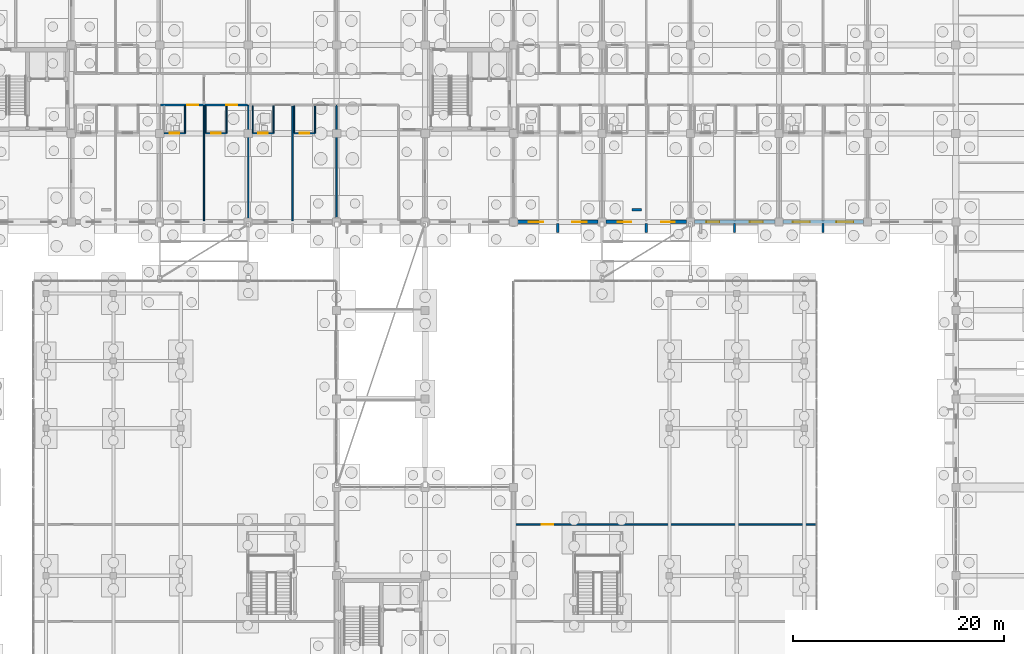
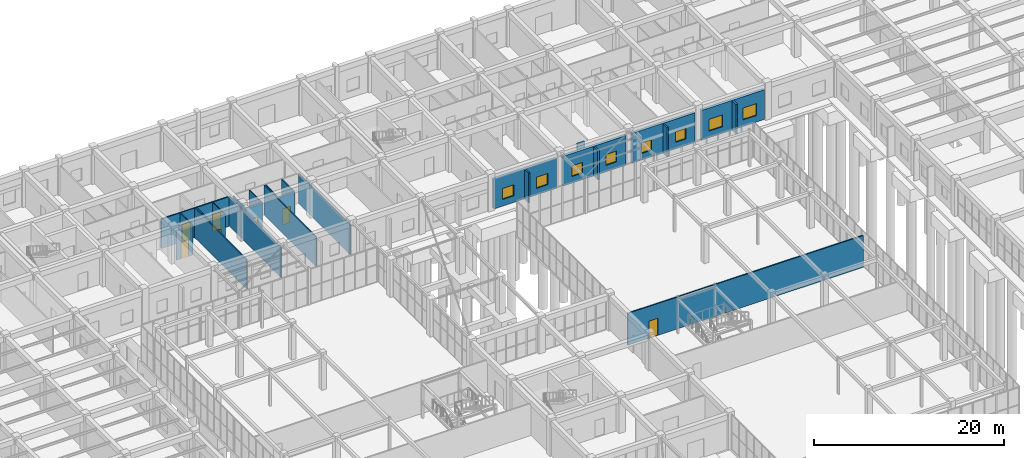
# One storey, part 165 of 192: 26 walls, 8 windows, 7 doors, 15 openings.
"""IFC4 building model written with IfcOpenShell, lengths in metres."""

from ifc_helpers import new_model, si_unit, direction, frame, frame_2d, origin, place, context, subcontext, project, spatial, rectangle, extrude, material, layer, layer_set, type_object, element, fill, save


model = new_model("IFC4")

# Units and contexts
model_context = context("Model", 3, precision=1e-05, world=origin(), true_north=direction((0.0, 1.0)))
body_context = subcontext(model_context, "Body", "Model", "MODEL_VIEW")
ifc_project = project(units=[si_unit("LENGTHUNIT", "METRE"), si_unit("AREAUNIT", "SQUARE_METRE"), si_unit("VOLUMEUNIT", "CUBIC_METRE"), si_unit("PLANEANGLEUNIT", "RADIAN"), si_unit("MASSUNIT", "GRAM", prefix="KILO")], contexts=[model_context])

# Site, building, storey
site_placement = place(None, origin())
site = spatial("IfcSite", under=ifc_project, at=site_placement, CompositionType="ELEMENT")
building_placement = place(site_placement, origin())
building = spatial("IfcBuilding", under=site, at=building_placement, Name="Trelvath General Hospital", CompositionType="ELEMENT")
storey_placement = place(building_placement, origin())
storey = spatial("IfcBuildingStorey", under=building, at=storey_placement, Name="L00", CompositionType="ELEMENT", Elevation=0.0)

# Walls
ifc_material_1 = material(Name="Precast concrete C40/50", Category="concrete")
ifc_layer_1 = layer(ifc_material_1, 0.199951171875)
ifc_layer_set_1 = layer_set([ifc_layer_1], Name="Precast concrete C40/50")
wall_type_1 = type_object("IfcWallType", Name="BriseSoleilRib 200", PredefinedType="ELEMENTEDWALL", material=ifc_layer_set_1)
for number, where, z_axis, x_axis, name in (
    (1, (96.60009765625, 92.25, 0.0), (0.0, 0.0, 1.0), (0.0, -1.0, 0.0), "Precast Concrete Brise-Soleil Rib Fin L00-42"),
    (2, (105.0, 92.25, 0.0), (0.0, 0.0, 1.0), (0.0, -1.0, 0.0), "Precast Concrete Brise-Soleil Rib Fin L00-46"),
    (3, (113.39990234375, 92.25, 0.0), (0.0, 0.0, 1.0), (0.0, -1.0, 0.0), "Precast Concrete Brise-Soleil Rib Fin L00-49"),
    (4, (121.800048828125, 92.25, 0.0), (0.0, 0.0, 1.0), (0.0, -1.0, 0.0), "Precast Concrete Brise-Soleil Rib Fin L00-52"),
):
    element("IfcWall", number, at=place(storey_placement, frame(where, z_axis=z_axis, x_axis=x_axis)), inside=storey, type_object=wall_type_1, Name=name, PredefinedType="ELEMENTEDWALL", context=body_context, shape_type="SweptSolid", body=[
        extrude(rectangle(XDim=0.85009765625, YDim=0.199951171875, at=frame_2d((0.425048828125, 0.0))), origin(), (0.0, 0.0, 1.0), 3.800048828125),
    ])

# Wall, openings, doors
ifc_material_2 = material(Name="Gypsum acoustic steel-stud partition", Category="steel")
ifc_layer_2 = layer(ifc_material_2, 0.14990234375)
ifc_layer_set_2 = layer_set([ifc_layer_2], Name="Gypsum acoustic steel-stud partition")
wall_type_2 = type_object("IfcWallType", Name="ClinicalPartition 150", PredefinedType="PARTITIONING", material=ifc_layer_set_2)
wall_1_placement = place(storey_placement, frame((58.8798828125, 103.5, 0.0), z_axis=(0.0, 0.0, 1.0), x_axis=(1.0, 0.0, 0.0)))
wall_1 = element("IfcWall", 5, at=wall_1_placement, inside=storey, type_object=wall_type_2, Name="Corridor Partition L00-218", PredefinedType="PARTITIONING", context=body_context, shape_type="SweptSolid", body=[
    extrude(rectangle(XDim=8.240234375, YDim=0.14990234375, at=frame_2d((4.1201171875, 0.0))), origin(), (0.0, 0.0, 1.0), 3.800048828125),
])
opening_1_placement = place(wall_1_placement, frame((2.530029296875, 0.0, 0.0)))
opening_1 = element("IfcOpeningElement", 6, at=opening_1_placement, cuts=wall_1, Name="Opening D-0-0388", PredefinedType="OPENING", context=body_context, shape_type="SweptSolid", body=[
    extrude(rectangle(XDim=1.050048828125, YDim=2.199951171875, at=frame_2d((0.52490234375, 1.10009765625))), frame((0.0, 0.0849609375, 0.0), z_axis=(0.0, -1.0, 0.0), x_axis=(1.0, 0.0, 0.0)), (0.0, 0.0, 1.0), 0.169921875),
])
opening_2_placement = place(wall_1_placement, frame((6.22998046875, 0.0, 0.0)))
opening_2 = element("IfcOpeningElement", 7, at=opening_2_placement, cuts=wall_1, Name="Opening D-0-0389", PredefinedType="OPENING", context=body_context, shape_type="SweptSolid", body=[
    extrude(rectangle(XDim=1.050048828125, YDim=2.199951171875, at=frame_2d((0.52490234375, 1.10009765625))), frame((0.0, 0.0849609375, 0.0), z_axis=(0.0, -1.0, 0.0), x_axis=(1.0, 0.0, 0.0)), (0.0, 0.0, 1.0), 0.169921875),
])
ifc_material_3 = material(Name="Acoustic hospital timber leaf", Category="wood")
door_type_1 = type_object("IfcDoorType", Name="Door Consult 1050x2200", OperationType="NOTDEFINED", PredefinedType="DOOR", material=ifc_material_3)
door_1_placement = place(opening_1_placement, origin())
door_1 = element("IfcDoor", 8, at=door_1_placement, inside=storey, type_object=door_type_1, Name="Patient Room Door L00-388", OperationType="SINGLE_SWING_RIGHT", OverallHeight=2.199951171875, OverallWidth=1.050048828125, PredefinedType="DOOR", context=body_context, shape_type="SweptSolid", body=[
    extrude(rectangle(XDim=1.050048828125, YDim=2.199951171875, at=frame_2d((0.52490234375, 1.10009765625))), frame((0.0, 0.02490234375, 0.0), z_axis=(0.0, -1.0, 0.0), x_axis=(1.0, 0.0, 0.0)), (0.0, 0.0, 1.0), 0.050048828125),
])
fill(opening_1, door_1)
door_2_placement = place(opening_2_placement, origin())
door_2 = element("IfcDoor", 9, at=door_2_placement, inside=storey, type_object=door_type_1, Name="Patient Room Door L00-389", OperationType="SINGLE_SWING_LEFT", OverallHeight=2.199951171875, OverallWidth=1.050048828125, PredefinedType="DOOR", context=body_context, shape_type="SweptSolid", body=[
    extrude(rectangle(XDim=1.050048828125, YDim=2.199951171875, at=frame_2d((0.52490234375, 1.10009765625))), frame((0.0, 0.02490234375, 0.0), z_axis=(0.0, -1.0, 0.0), x_axis=(1.0, 0.0, 0.0)), (0.0, 0.0, 1.0), 0.050048828125),
])
fill(opening_2, door_2)

# Wall, opening, door
wall_2_placement = place(storey_placement, frame((92.5, 63.64990234375, 0.0), z_axis=(0.0, 0.0, 1.0), x_axis=(1.0, 0.0, 0.0)))
wall_2 = element("IfcWall", 10, at=wall_2_placement, inside=storey, type_object=wall_type_2, Name="Cube Clinic CUBE-E Partition L00-345", PredefinedType="PARTITIONING", context=body_context, shape_type="SweptSolid", body=[
    extrude(rectangle(XDim=28.60009765625, YDim=0.14990234375, at=frame_2d((14.300048828125, 0.0))), origin(), (0.0, 0.0, 1.0), 4.090087890625),
])
opening_3_placement = place(wall_2_placement, frame((2.60009765625, 0.0, 0.0)))
opening_3 = element("IfcOpeningElement", 11, at=opening_3_placement, cuts=wall_2, Name="Opening DC-0-0457", PredefinedType="OPENING", context=body_context, shape_type="SweptSolid", body=[
    extrude(rectangle(XDim=1.050048828125, YDim=2.199951171875, at=frame_2d((0.52490234375, 1.10009765625))), frame((0.0, 0.0849609375, 0.0), z_axis=(0.0, -1.0, 0.0), x_axis=(1.0, 0.0, 0.0)), (0.0, 0.0, 1.0), 0.169921875),
])
door_3_placement = place(opening_3_placement, origin())
door_3 = element("IfcDoor", 12, at=door_3_placement, inside=storey, type_object=door_type_1, Name="Cube Clinic CUBE-E Door L00-457", OperationType="SINGLE_SWING_RIGHT", OverallHeight=2.199951171875, OverallWidth=1.050048828125, PredefinedType="DOOR", context=body_context, shape_type="SweptSolid", body=[
    extrude(rectangle(XDim=1.050048828125, YDim=2.199951171875, at=frame_2d((0.52490234375, 1.10009765625))), frame((0.0, 0.02490234375, 0.0), z_axis=(0.0, -1.0, 0.0), x_axis=(1.0, 0.0, 0.0)), (0.0, 0.0, 1.0), 0.050048828125),
])
fill(opening_3, door_3)

# Wall
ifc_material_4 = material(Name="Moisture-resistant tile partition")
ifc_layer_3 = layer(ifc_material_4, 0.110107421875)
ifc_layer_set_3 = layer_set([ifc_layer_3], Name="Moisture-resistant tile partition")
wall_type_3 = type_object("IfcWallType", Name="EnSuiteWetWall 110", PredefinedType="PARTITIONING", material=ifc_layer_set_3)
wall_3_placement = place(storey_placement, frame((61.199951171875, 100.820068359375, 0.0), z_axis=(0.0, 0.0, 1.0), x_axis=(0.0, 1.0, 0.0)))
element("IfcWall", 13, at=wall_3_placement, inside=storey, type_object=wall_type_3, Name="En-Suite E Wall L00-221", PredefinedType="PARTITIONING", context=body_context, shape_type="SweptSolid", body=[
    extrude(rectangle(XDim=2.60986328125, YDim=0.110107421875, at=frame_2d((1.304931640625, 0.0))), origin(), (0.0, 0.0, 1.0), 3.800048828125),
])

# Wall, opening, door
wall_4_placement = place(storey_placement, frame((59.219970703125, 100.820068359375, 0.0), z_axis=(0.0, 0.0, 1.0), x_axis=(1.0, 0.0, 0.0)))
wall_4 = element("IfcWall", 14, at=wall_4_placement, inside=storey, type_object=wall_type_3, Name="En-Suite Bathroom Partition L00-222", PredefinedType="PARTITIONING", context=body_context, shape_type="SweptSolid", body=[
    extrude(rectangle(XDim=1.97998046875, YDim=0.110107421875, at=frame_2d((0.989990234375, 0.0))), origin(), (0.0, 0.0, 1.0), 3.800048828125),
])
opening_4_placement = place(wall_4_placement, frame((0.5400390625, 0.0, 0.0)))
opening_4 = element("IfcOpeningElement", 15, at=opening_4_placement, cuts=wall_4, Name="Opening D-0-0390", PredefinedType="OPENING", context=body_context, shape_type="SweptSolid", body=[
    extrude(rectangle(XDim=0.89990234375, YDim=2.10009765625, at=frame_2d((0.449951171875, 1.050048828125))), frame((0.0, 0.06494140625, 0.0), z_axis=(0.0, -1.0, 0.0), x_axis=(1.0, 0.0, 0.0)), (0.0, 0.0, 1.0), 0.130126953125),
])
ifc_material_5 = material(Name="Moisture-sealed timber leaf", Category="wood")
door_type_2 = type_object("IfcDoorType", Name="Door EnSuite 900x2100", OperationType="NOTDEFINED", PredefinedType="DOOR", material=ifc_material_5)
door_4_placement = place(opening_4_placement, origin())
door_4 = element("IfcDoor", 16, at=door_4_placement, inside=storey, type_object=door_type_2, Name="En-Suite Bathroom Door L00-390", OperationType="SINGLE_SWING_RIGHT", OverallHeight=2.10009765625, OverallWidth=0.89990234375, PredefinedType="DOOR", context=body_context, shape_type="SweptSolid", body=[
    extrude(rectangle(XDim=0.89990234375, YDim=2.10009765625, at=frame_2d((0.449951171875, 1.050048828125))), frame((0.0, 0.02490234375, 0.0), z_axis=(0.0, -1.0, 0.0), x_axis=(1.0, 0.0, 0.0)), (0.0, 0.0, 1.0), 0.050048828125),
])
fill(opening_4, door_4)

# Walls
for number, where, z_axis, x_axis, name in (
    (17, (63.159912109375, 100.820068359375, 0.0), (0.0, 0.0, 1.0), (0.0, 1.0, 0.0), "En-Suite W Wall L00-223"),
    (18, (65.139892578125, 100.820068359375, 0.0), (0.0, 0.0, 1.0), (0.0, 1.0, 0.0), "En-Suite E Wall L00-224"),
):
    element("IfcWall", number, at=place(storey_placement, frame(where, z_axis=z_axis, x_axis=x_axis)), inside=storey, type_object=wall_type_3, Name=name, PredefinedType="PARTITIONING", context=body_context, shape_type="SweptSolid", body=[
        extrude(rectangle(XDim=2.60986328125, YDim=0.110107421875, at=frame_2d((1.304931640625, 0.0))), origin(), (0.0, 0.0, 1.0), 3.800048828125),
    ])

# Wall, opening, door
wall_5_placement = place(storey_placement, frame((63.159912109375, 100.820068359375, 0.0), z_axis=(0.0, 0.0, 1.0), x_axis=(1.0, 0.0, 0.0)))
wall_5 = element("IfcWall", 19, at=wall_5_placement, inside=storey, type_object=wall_type_3, Name="En-Suite Bathroom Partition L00-225", PredefinedType="PARTITIONING", context=body_context, shape_type="SweptSolid", body=[
    extrude(rectangle(XDim=1.97998046875, YDim=0.110107421875, at=frame_2d((0.989990234375, 0.0))), origin(), (0.0, 0.0, 1.0), 3.800048828125),
])
opening_5_placement = place(wall_5_placement, frame((0.5400390625, 0.0, 0.0)))
opening_5 = element("IfcOpeningElement", 20, at=opening_5_placement, cuts=wall_5, Name="Opening D-0-0391", PredefinedType="OPENING", context=body_context, shape_type="SweptSolid", body=[
    extrude(rectangle(XDim=0.89990234375, YDim=2.10009765625, at=frame_2d((0.449951171875, 1.050048828125))), frame((0.0, 0.06494140625, 0.0), z_axis=(0.0, -1.0, 0.0), x_axis=(1.0, 0.0, 0.0)), (0.0, 0.0, 1.0), 0.130126953125),
])
door_5_placement = place(opening_5_placement, origin())
door_5 = element("IfcDoor", 21, at=door_5_placement, inside=storey, type_object=door_type_2, Name="En-Suite Bathroom Door L00-391", OperationType="SINGLE_SWING_LEFT", OverallHeight=2.10009765625, OverallWidth=0.89990234375, PredefinedType="DOOR", context=body_context, shape_type="SweptSolid", body=[
    extrude(rectangle(XDim=0.89990234375, YDim=2.10009765625, at=frame_2d((0.449951171875, 1.050048828125))), frame((0.0, 0.02490234375, 0.0), z_axis=(0.0, -1.0, 0.0), x_axis=(1.0, 0.0, 0.0)), (0.0, 0.0, 1.0), 0.050048828125),
])
fill(opening_5, door_5)

# Walls
for number, where, z_axis, x_axis, name in (
    (22, (67.6201171875, 100.820068359375, 0.0), (0.0, 0.0, 1.0), (0.0, 1.0, 0.0), "En-Suite W Wall L00-232"),
    (23, (69.60009765625, 100.820068359375, 0.0), (0.0, 0.0, 1.0), (0.0, 1.0, 0.0), "En-Suite E Wall L00-233"),
):
    element("IfcWall", number, at=place(storey_placement, frame(where, z_axis=z_axis, x_axis=x_axis)), inside=storey, type_object=wall_type_3, Name=name, PredefinedType="PARTITIONING", context=body_context, shape_type="SweptSolid", body=[
        extrude(rectangle(XDim=2.60986328125, YDim=0.110107421875, at=frame_2d((1.304931640625, 0.0))), origin(), (0.0, 0.0, 1.0), 3.800048828125),
    ])

# Wall, opening, door
wall_6_placement = place(storey_placement, frame((67.6201171875, 100.820068359375, 0.0), z_axis=(0.0, 0.0, 1.0), x_axis=(1.0, 0.0, 0.0)))
wall_6 = element("IfcWall", 24, at=wall_6_placement, inside=storey, type_object=wall_type_3, Name="En-Suite Bathroom Partition L00-234", PredefinedType="PARTITIONING", context=body_context, shape_type="SweptSolid", body=[
    extrude(rectangle(XDim=1.97998046875, YDim=0.110107421875, at=frame_2d((0.989990234375, 0.0))), origin(), (0.0, 0.0, 1.0), 3.800048828125),
])
opening_6_placement = place(wall_6_placement, frame((0.5400390625, 0.0, 0.0)))
opening_6 = element("IfcOpeningElement", 25, at=opening_6_placement, cuts=wall_6, Name="Opening D-0-0396", PredefinedType="OPENING", context=body_context, shape_type="SweptSolid", body=[
    extrude(rectangle(XDim=0.89990234375, YDim=2.10009765625, at=frame_2d((0.449951171875, 1.050048828125))), frame((0.0, 0.06494140625, 0.0), z_axis=(0.0, -1.0, 0.0), x_axis=(1.0, 0.0, 0.0)), (0.0, 0.0, 1.0), 0.130126953125),
])
door_6_placement = place(opening_6_placement, origin())
door_6 = element("IfcDoor", 26, at=door_6_placement, inside=storey, type_object=door_type_2, Name="En-Suite Bathroom Door L00-396", OperationType="SINGLE_SWING_LEFT", OverallHeight=2.10009765625, OverallWidth=0.89990234375, PredefinedType="DOOR", context=body_context, shape_type="SweptSolid", body=[
    extrude(rectangle(XDim=0.89990234375, YDim=2.10009765625, at=frame_2d((0.449951171875, 1.050048828125))), frame((0.0, 0.02490234375, 0.0), z_axis=(0.0, -1.0, 0.0), x_axis=(1.0, 0.0, 0.0)), (0.0, 0.0, 1.0), 0.050048828125),
])
fill(opening_6, door_6)

# Walls
for number, where, z_axis, x_axis, name in (
    (27, (71.56005859375, 100.820068359375, 0.0), (0.0, 0.0, 1.0), (0.0, 1.0, 0.0), "En-Suite W Wall L00-235"),
    (28, (73.5400390625, 100.820068359375, 0.0), (0.0, 0.0, 1.0), (0.0, 1.0, 0.0), "En-Suite E Wall L00-236"),
):
    element("IfcWall", number, at=place(storey_placement, frame(where, z_axis=z_axis, x_axis=x_axis)), inside=storey, type_object=wall_type_3, Name=name, PredefinedType="PARTITIONING", context=body_context, shape_type="SweptSolid", body=[
        extrude(rectangle(XDim=2.60986328125, YDim=0.110107421875, at=frame_2d((1.304931640625, 0.0))), origin(), (0.0, 0.0, 1.0), 3.800048828125),
    ])

# Wall, opening, door
wall_7_placement = place(storey_placement, frame((71.56005859375, 100.820068359375, 0.0), z_axis=(0.0, 0.0, 1.0), x_axis=(1.0, 0.0, 0.0)))
wall_7 = element("IfcWall", 29, at=wall_7_placement, inside=storey, type_object=wall_type_3, Name="En-Suite Bathroom Partition L00-237", PredefinedType="PARTITIONING", context=body_context, shape_type="SweptSolid", body=[
    extrude(rectangle(XDim=1.97998046875, YDim=0.110107421875, at=frame_2d((0.989990234375, 0.0))), origin(), (0.0, 0.0, 1.0), 3.800048828125),
])
opening_7_placement = place(wall_7_placement, frame((0.5400390625, 0.0, 0.0)))
opening_7 = element("IfcOpeningElement", 30, at=opening_7_placement, cuts=wall_7, Name="Opening D-0-0397", PredefinedType="OPENING", context=body_context, shape_type="SweptSolid", body=[
    extrude(rectangle(XDim=0.89990234375, YDim=2.10009765625, at=frame_2d((0.449951171875, 1.050048828125))), frame((0.0, 0.06494140625, 0.0), z_axis=(0.0, -1.0, 0.0), x_axis=(1.0, 0.0, 0.0)), (0.0, 0.0, 1.0), 0.130126953125),
])
door_7_placement = place(opening_7_placement, origin())
door_7 = element("IfcDoor", 31, at=door_7_placement, inside=storey, type_object=door_type_2, Name="En-Suite Bathroom Door L00-397", OperationType="SINGLE_SWING_RIGHT", OverallHeight=2.10009765625, OverallWidth=0.89990234375, PredefinedType="DOOR", context=body_context, shape_type="SweptSolid", body=[
    extrude(rectangle(XDim=0.89990234375, YDim=2.10009765625, at=frame_2d((0.449951171875, 1.050048828125))), frame((0.0, 0.02490234375, 0.0), z_axis=(0.0, -1.0, 0.0), x_axis=(1.0, 0.0, 0.0)), (0.0, 0.0, 1.0), 0.050048828125),
])
fill(opening_7, door_7)

# Wall, openings, windows
ifc_material_6 = material(Name="Concrete C35/45", Category="concrete")
ifc_layer_4 = layer(ifc_material_6, 0.320068359375)
ifc_layer_set_4 = layer_set([ifc_layer_4], Name="Concrete C35/45")
wall_type_4 = type_object("IfcWallType", Name="ExtThermalWall 320", PredefinedType="SOLIDWALL", material=ifc_layer_set_4)
wall_8_placement = place(storey_placement, frame((100.425048828125, 92.39990234375, 0.0), z_axis=(0.0, 0.0, 1.0), x_axis=(-1.0, 0.0, 0.0)))
wall_8 = element("IfcWall", 32, at=wall_8_placement, inside=storey, type_object=wall_type_4, Name="Exterior Concrete Wall L00-66", PredefinedType="SOLIDWALL", context=body_context, shape_type="SweptSolid", body=[
    extrude(rectangle(XDim=7.650146484375, YDim=0.320068359375, at=frame_2d((3.8251953125, 0.0))), origin(), (0.0, 0.0, 1.0), 3.820068359375),
])
opening_8_placement = place(wall_8_placement, frame((1.07958984375, 0.0, 0.85009765625)))
opening_8 = element("IfcOpeningElement", 33, at=opening_8_placement, cuts=wall_8, Name="Opening WN-0-091", PredefinedType="OPENING", context=body_context, shape_type="SweptSolid", body=[
    extrude(rectangle(XDim=1.360107421875, YDim=1.419921875, at=frame_2d((0.68017578125, 0.7099609375))), frame((0.0, 0.169921875, 0.0), z_axis=(0.0, -1.0, 0.0), x_axis=(1.0, 0.0, 0.0)), (0.0, 0.0, 1.0), 0.340087890625),
])
opening_9_placement = place(wall_8_placement, frame((5.21044921875, 0.0, 0.85009765625)))
opening_9 = element("IfcOpeningElement", 34, at=opening_9_placement, cuts=wall_8, Name="Opening WN-0-092", PredefinedType="OPENING", context=body_context, shape_type="SweptSolid", body=[
    extrude(rectangle(XDim=1.360107421875, YDim=1.419921875, at=frame_2d((0.68017578125, 0.7099609375))), frame((0.0, 0.169921875, 0.0), z_axis=(0.0, -1.0, 0.0), x_axis=(1.0, 0.0, 0.0)), (0.0, 0.0, 1.0), 0.340087890625),
])
ifc_material_7 = material(Name="Low-E laminated glass", Category="glass")
window_type_1 = type_object("IfcWindowType", Name="Window Pathology 1360x1420", PartitioningType="DOUBLE_PANEL_VERTICAL", PredefinedType="WINDOW", material=ifc_material_7)
window_1_placement = place(opening_8_placement, origin())
window_1 = element("IfcWindow", 35, at=window_1_placement, inside=storey, type_object=window_type_1, Name="Solar Reveal Window L00-91", OverallHeight=1.419921875, OverallWidth=1.360107421875, PartitioningType="SINGLE_PANEL", PredefinedType="WINDOW", context=body_context, shape_type="SweptSolid", body=[
    extrude(rectangle(XDim=1.360107421875, YDim=1.419921875, at=frame_2d((0.68017578125, 0.7099609375))), frame((0.0, 0.030029296875, 0.0), z_axis=(0.0, -1.0, 0.0), x_axis=(1.0, 0.0, 0.0)), (0.0, 0.0, 1.0), 0.06005859375),
])
fill(opening_8, window_1)
window_2_placement = place(opening_9_placement, origin())
window_2 = element("IfcWindow", 36, at=window_2_placement, inside=storey, type_object=window_type_1, Name="Solar Reveal Window L00-92", OverallHeight=1.419921875, OverallWidth=1.360107421875, PartitioningType="SINGLE_PANEL", PredefinedType="WINDOW", context=body_context, shape_type="SweptSolid", body=[
    extrude(rectangle(XDim=1.360107421875, YDim=1.419921875, at=frame_2d((0.68017578125, 0.7099609375))), frame((0.0, 0.030029296875, 0.0), z_axis=(0.0, -1.0, 0.0), x_axis=(1.0, 0.0, 0.0)), (0.0, 0.0, 1.0), 0.06005859375),
])
fill(opening_9, window_2)

wall_9_placement = place(storey_placement, frame((108.824951171875, 92.39990234375, 0.0), z_axis=(0.0, 0.0, 1.0), x_axis=(-1.0, 0.0, 0.0)))
wall_9 = element("IfcWall", 37, at=wall_9_placement, inside=storey, type_object=wall_type_4, Name="Exterior Concrete Wall L00-70", PredefinedType="SOLIDWALL", context=body_context, shape_type="SweptSolid", body=[
    extrude(rectangle(XDim=7.64990234375, YDim=0.320068359375, at=frame_2d((3.824951171875, 0.0))), origin(), (0.0, 0.0, 1.0), 3.820068359375),
])
opening_10_placement = place(wall_9_placement, frame((1.119384765625, 0.0, 0.85009765625)))
opening_10 = element("IfcOpeningElement", 38, at=opening_10_placement, cuts=wall_9, Name="Opening WN-0-099", PredefinedType="OPENING", context=body_context, shape_type="SweptSolid", body=[
    extrude(rectangle(XDim=1.280029296875, YDim=1.3798828125, at=frame_2d((0.64013671875, 0.68994140625))), frame((0.0, 0.169921875, 0.0), z_axis=(0.0, -1.0, 0.0), x_axis=(1.0, 0.0, 0.0)), (0.0, 0.0, 1.0), 0.340087890625),
])
opening_11_placement = place(wall_9_placement, frame((5.25048828125, 0.0, 0.85009765625)))
opening_11 = element("IfcOpeningElement", 39, at=opening_11_placement, cuts=wall_9, Name="Opening WN-0-100", PredefinedType="OPENING", context=body_context, shape_type="SweptSolid", body=[
    extrude(rectangle(XDim=1.280029296875, YDim=1.3798828125, at=frame_2d((0.64013671875, 0.68994140625))), frame((0.0, 0.169921875, 0.0), z_axis=(0.0, -1.0, 0.0), x_axis=(1.0, 0.0, 0.0)), (0.0, 0.0, 1.0), 0.340087890625),
])
ifc_material_8 = material(Name="Low-E laminated glass", Category="glass")
window_type_2 = type_object("IfcWindowType", Name="Window Telemetry 1280x1380", PartitioningType="DOUBLE_PANEL_VERTICAL", PredefinedType="WINDOW", material=ifc_material_8)
window_3_placement = place(opening_10_placement, origin())
window_3 = element("IfcWindow", 40, at=window_3_placement, inside=storey, type_object=window_type_2, Name="Solar Reveal Window L00-99", OverallHeight=1.3798828125, OverallWidth=1.280029296875, PartitioningType="SINGLE_PANEL", PredefinedType="WINDOW", context=body_context, shape_type="SweptSolid", body=[
    extrude(rectangle(XDim=1.280029296875, YDim=1.3798828125, at=frame_2d((0.64013671875, 0.68994140625))), frame((0.0, 0.030029296875, 0.0), z_axis=(0.0, -1.0, 0.0), x_axis=(1.0, 0.0, 0.0)), (0.0, 0.0, 1.0), 0.06005859375),
])
fill(opening_10, window_3)
window_4_placement = place(opening_11_placement, origin())
window_4 = element("IfcWindow", 41, at=window_4_placement, inside=storey, type_object=window_type_2, Name="Solar Reveal Window L00-100", OverallHeight=1.3798828125, OverallWidth=1.280029296875, PartitioningType="SINGLE_PANEL", PredefinedType="WINDOW", context=body_context, shape_type="SweptSolid", body=[
    extrude(rectangle(XDim=1.280029296875, YDim=1.3798828125, at=frame_2d((0.64013671875, 0.68994140625))), frame((0.0, 0.030029296875, 0.0), z_axis=(0.0, -1.0, 0.0), x_axis=(1.0, 0.0, 0.0)), (0.0, 0.0, 1.0), 0.06005859375),
])
fill(opening_11, window_4)

wall_10_placement = place(storey_placement, frame((117.22509765625, 92.39990234375, 0.0), z_axis=(0.0, 0.0, 1.0), x_axis=(-1.0, 0.0, 0.0)))
wall_10 = element("IfcWall", 42, at=wall_10_placement, inside=storey, type_object=wall_type_4, Name="Exterior Concrete Wall L00-74", PredefinedType="SOLIDWALL", context=body_context, shape_type="SweptSolid", body=[
    extrude(rectangle(XDim=7.650146484375, YDim=0.320068359375, at=frame_2d((3.8251953125, 0.0))), origin(), (0.0, 0.0, 1.0), 3.820068359375),
])
opening_12_placement = place(wall_10_placement, frame((1.139404296875, 0.0, 0.85009765625)))
opening_12 = element("IfcOpeningElement", 43, at=opening_12_placement, cuts=wall_10, Name="Opening WN-0-105", PredefinedType="OPENING", context=body_context, shape_type="SweptSolid", body=[
    extrude(rectangle(XDim=1.239990234375, YDim=1.340087890625, at=frame_2d((0.6201171875, 0.669921875))), frame((0.0, 0.169921875, 0.0), z_axis=(0.0, -1.0, 0.0), x_axis=(1.0, 0.0, 0.0)), (0.0, 0.0, 1.0), 0.340087890625),
])
opening_13_placement = place(wall_10_placement, frame((5.2705078125, 0.0, 0.85009765625)))
opening_13 = element("IfcOpeningElement", 44, at=opening_13_placement, cuts=wall_10, Name="Opening WN-0-106", PredefinedType="OPENING", context=body_context, shape_type="SweptSolid", body=[
    extrude(rectangle(XDim=1.239990234375, YDim=1.340087890625, at=frame_2d((0.6201171875, 0.669921875))), frame((0.0, 0.169921875, 0.0), z_axis=(0.0, -1.0, 0.0), x_axis=(1.0, 0.0, 0.0)), (0.0, 0.0, 1.0), 0.340087890625),
])
ifc_material_9 = material(Name="Low-E laminated glass", Category="glass")
window_type_3 = type_object("IfcWindowType", Name="Window Pharmacy 1240x1340", PartitioningType="DOUBLE_PANEL_VERTICAL", PredefinedType="WINDOW", material=ifc_material_9)
window_5_placement = place(opening_12_placement, origin())
window_5 = element("IfcWindow", 45, at=window_5_placement, inside=storey, type_object=window_type_3, Name="Solar Reveal Window L00-105", OverallHeight=1.340087890625, OverallWidth=1.239990234375, PartitioningType="SINGLE_PANEL", PredefinedType="WINDOW", context=body_context, shape_type="SweptSolid", body=[
    extrude(rectangle(XDim=1.239990234375, YDim=1.340087890625, at=frame_2d((0.6201171875, 0.669921875))), frame((0.0, 0.030029296875, 0.0), z_axis=(0.0, -1.0, 0.0), x_axis=(1.0, 0.0, 0.0)), (0.0, 0.0, 1.0), 0.06005859375),
])
fill(opening_12, window_5)
window_6_placement = place(opening_13_placement, origin())
window_6 = element("IfcWindow", 46, at=window_6_placement, inside=storey, type_object=window_type_3, Name="Solar Reveal Window L00-106", OverallHeight=1.340087890625, OverallWidth=1.239990234375, PartitioningType="SINGLE_PANEL", PredefinedType="WINDOW", context=body_context, shape_type="SweptSolid", body=[
    extrude(rectangle(XDim=1.239990234375, YDim=1.340087890625, at=frame_2d((0.6201171875, 0.669921875))), frame((0.0, 0.030029296875, 0.0), z_axis=(0.0, -1.0, 0.0), x_axis=(1.0, 0.0, 0.0)), (0.0, 0.0, 1.0), 0.06005859375),
])
fill(opening_13, window_6)

wall_11_placement = place(storey_placement, frame((125.625, 92.39990234375, 0.0), z_axis=(0.0, 0.0, 1.0), x_axis=(-1.0, 0.0, 0.0)))
wall_11 = element("IfcWall", 47, at=wall_11_placement, inside=storey, type_object=wall_type_4, Name="Exterior Concrete Wall L00-78", PredefinedType="SOLIDWALL", context=body_context, shape_type="SweptSolid", body=[
    extrude(rectangle(XDim=7.64990234375, YDim=0.320068359375, at=frame_2d((3.824951171875, 0.0))), origin(), (0.0, 0.0, 1.0), 3.820068359375),
])
opening_14_placement = place(wall_11_placement, frame((0.949462890625, 0.0, 0.85009765625)))
opening_14 = element("IfcOpeningElement", 48, at=opening_14_placement, cuts=wall_11, Name="Opening WN-0-111", PredefinedType="OPENING", context=body_context, shape_type="SweptSolid", body=[
    extrude(rectangle(XDim=1.6201171875, YDim=1.52001953125, at=frame_2d((0.81005859375, 0.760009765625))), frame((0.0, 0.169921875, 0.0), z_axis=(0.0, -1.0, 0.0), x_axis=(1.0, 0.0, 0.0)), (0.0, 0.0, 1.0), 0.340087890625),
])
opening_15_placement = place(wall_11_placement, frame((5.08056640625, 0.0, 0.85009765625)))
opening_15 = element("IfcOpeningElement", 49, at=opening_15_placement, cuts=wall_11, Name="Opening WN-0-112", PredefinedType="OPENING", context=body_context, shape_type="SweptSolid", body=[
    extrude(rectangle(XDim=1.6201171875, YDim=1.52001953125, at=frame_2d((0.81005859375, 0.760009765625))), frame((0.0, 0.169921875, 0.0), z_axis=(0.0, -1.0, 0.0), x_axis=(1.0, 0.0, 0.0)), (0.0, 0.0, 1.0), 0.340087890625),
])
ifc_material_10 = material(Name="Low-E laminated glass", Category="glass")
window_type_4 = type_object("IfcWindowType", Name="Window Triage 1620x1520", PartitioningType="DOUBLE_PANEL_VERTICAL", PredefinedType="WINDOW", material=ifc_material_10)
window_7_placement = place(opening_14_placement, origin())
window_7 = element("IfcWindow", 50, at=window_7_placement, inside=storey, type_object=window_type_4, Name="Solar Reveal Window L00-111", OverallHeight=1.52001953125, OverallWidth=1.6201171875, PartitioningType="SINGLE_PANEL", PredefinedType="WINDOW", context=body_context, shape_type="SweptSolid", body=[
    extrude(rectangle(XDim=1.6201171875, YDim=1.52001953125, at=frame_2d((0.81005859375, 0.760009765625))), frame((0.0, 0.030029296875, 0.0), z_axis=(0.0, -1.0, 0.0), x_axis=(1.0, 0.0, 0.0)), (0.0, 0.0, 1.0), 0.06005859375),
])
fill(opening_14, window_7)
window_8_placement = place(opening_15_placement, origin())
window_8 = element("IfcWindow", 51, at=window_8_placement, inside=storey, type_object=window_type_4, Name="Solar Reveal Window L00-112", OverallHeight=1.52001953125, OverallWidth=1.6201171875, PartitioningType="SINGLE_PANEL", PredefinedType="WINDOW", context=body_context, shape_type="SweptSolid", body=[
    extrude(rectangle(XDim=1.6201171875, YDim=1.52001953125, at=frame_2d((0.81005859375, 0.760009765625))), frame((0.0, 0.030029296875, 0.0), z_axis=(0.0, -1.0, 0.0), x_axis=(1.0, 0.0, 0.0)), (0.0, 0.0, 1.0), 0.06005859375),
])
fill(opening_15, window_8)

# Walls
ifc_material_11 = material(Name="Masonry service chase blockwork", Category="masonry")
ifc_layer_5 = layer(ifc_material_11, 0.239990234375)
ifc_layer_set_5 = layer_set([ifc_layer_5], Name="Masonry service chase blockwork")
wall_type_5 = type_object("IfcWallType", Name="PlumbingChaseWall 240", PredefinedType="PLUMBINGWALL", material=ifc_layer_set_5)
wall_12_placement = place(storey_placement, frame((103.64990234375, 93.550048828125, 0.0), z_axis=(0.0, 0.0, 1.0), x_axis=(1.0, 0.0, 0.0)))
element("IfcWall", 52, at=wall_12_placement, inside=storey, type_object=wall_type_5, Name="Medical Gas Plumbing Chase L00-276", PredefinedType="PLUMBINGWALL", context=body_context, shape_type="SweptSolid", body=[
    extrude(rectangle(XDim=0.900146484375, YDim=0.239990234375, at=frame_2d((0.4501953125, 0.0))), origin(), (0.0, 0.0, 1.0), 3.800048828125),
])
ifc_material_12 = material(Name="Gypsum acoustic steel-stud partition", Category="steel")
ifc_layer_6 = layer(ifc_material_12, 0.1298828125)
ifc_layer_set_6 = layer_set([ifc_layer_6], Name="Gypsum acoustic steel-stud partition")
wall_type_6 = type_object("IfcWallType", Name="WardPartition 130", PredefinedType="PARTITIONING", material=ifc_layer_set_6)
wall_13_placement = place(storey_placement, frame((63.0, 92.5, 0.0), z_axis=(0.0, 0.0, 1.0), x_axis=(0.0, 1.0, 0.0)))
element("IfcWall", 53, at=wall_13_placement, inside=storey, type_object=wall_type_6, Name="Room Dividing Partition S L00-219", PredefinedType="PARTITIONING", context=body_context, shape_type="SweptSolid", body=[
    extrude(rectangle(XDim=10.929931640625, YDim=0.1298828125, at=frame_2d((5.46484375, 0.0))), origin(), (0.0, 0.0, 1.0), 3.800048828125),
])
wall_14_placement = place(storey_placement, frame((67.199951171875, 92.5400390625, 0.0), z_axis=(0.0, 0.0, 1.0), x_axis=(0.0, 1.0, 0.0)))
element("IfcWall", 54, at=wall_14_placement, inside=storey, type_object=wall_type_6, Name="Inter-Bay Ward Partition S L00-228", PredefinedType="PARTITIONING", context=body_context, shape_type="SweptSolid", body=[
    extrude(rectangle(XDim=10.93994140625, YDim=0.1298828125, at=frame_2d((5.469970703125, 0.0))), origin(), (0.0, 0.0, 1.0), 3.800048828125),
])
wall_15_placement = place(storey_placement, frame((71.39990234375, 92.5, 0.0), z_axis=(0.0, 0.0, 1.0), x_axis=(0.0, 1.0, 0.0)))
element("IfcWall", 55, at=wall_15_placement, inside=storey, type_object=wall_type_6, Name="Room Dividing Partition S L00-231", PredefinedType="PARTITIONING", context=body_context, shape_type="SweptSolid", body=[
    extrude(rectangle(XDim=10.929931640625, YDim=0.1298828125, at=frame_2d((5.46484375, 0.0))), origin(), (0.0, 0.0, 1.0), 3.800048828125),
])
wall_16_placement = place(storey_placement, frame((75.60009765625, 92.5400390625, 0.0), z_axis=(0.0, 0.0, 1.0), x_axis=(0.0, 1.0, 0.0)))
element("IfcWall", 56, at=wall_16_placement, inside=storey, type_object=wall_type_6, Name="Inter-Bay Ward Partition S L00-239", PredefinedType="PARTITIONING", context=body_context, shape_type="SweptSolid", body=[
    extrude(rectangle(XDim=10.93994140625, YDim=0.1298828125, at=frame_2d((5.469970703125, 0.0))), origin(), (0.0, 0.0, 1.0), 3.800048828125),
])

save(model, "model.ifc")
